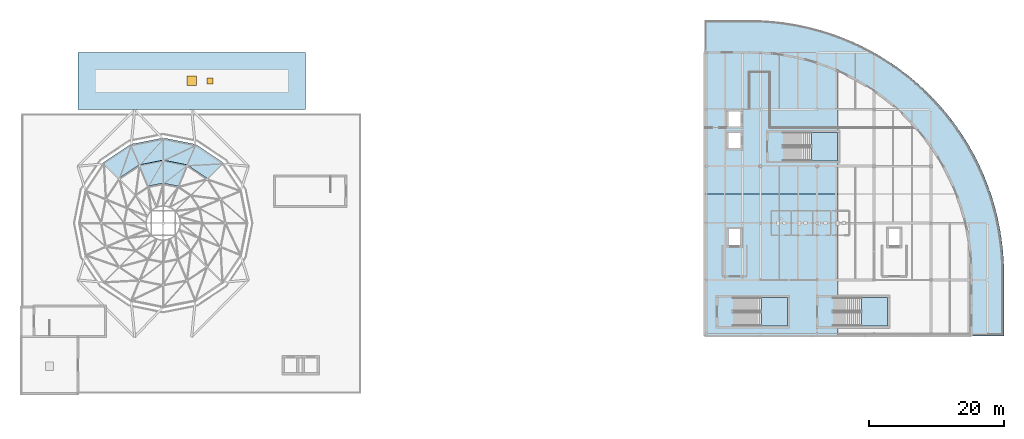
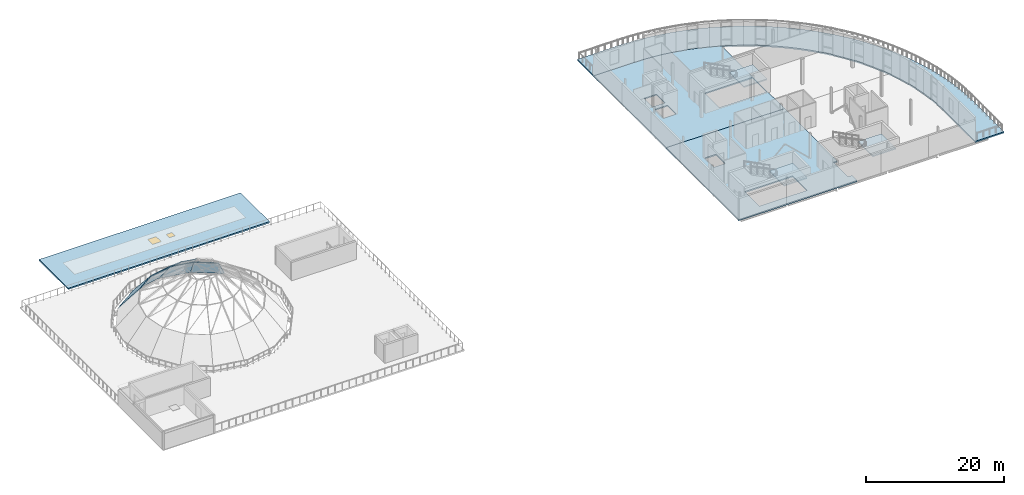
# One storey, part 19 of 40: 13 slabs, 1 door, 1 window, 2 openings, 3 elements without a shape of their own.
"""IFC4 building model written with IfcOpenShell, lengths in metres."""

from ifc_helpers import new_model, si_unit, direction, frame, origin, origin_2d, place, context, subcontext, project, spatial, polyline, rectangle, outline, extrude, material, layer, layer_set, type_object, element, fill, aggregate, save


model = new_model("IFC4")

# Units and contexts
model_context = context("Model", 3, precision=1e-05, world=origin(), true_north=direction((0.0, 1.0)))
body_context = subcontext(model_context, "Body", "Model", "MODEL_VIEW")
ifc_project = project(units=[si_unit("LENGTHUNIT", "METRE"), si_unit("AREAUNIT", "SQUARE_METRE"), si_unit("VOLUMEUNIT", "CUBIC_METRE"), si_unit("PLANEANGLEUNIT", "RADIAN"), si_unit("MASSUNIT", "GRAM", prefix="KILO"), si_unit("THERMODYNAMICTEMPERATUREUNIT", "KELVIN")], contexts=[model_context])

# Site, building, storey
site_placement = place(None, origin())
site = spatial("IfcSite", under=ifc_project, at=site_placement, CompositionType="ELEMENT")
building_placement = place(site_placement, origin())
building = spatial("IfcBuilding", under=site, at=building_placement, Name="Lustrewick Department Store", CompositionType="ELEMENT")
storey_placement = place(building_placement, frame((0.0, 0.0, 31.800048828125)))
storey = spatial("IfcBuildingStorey", under=building, at=storey_placement, Name="L07", CompositionType="ELEMENT", Elevation=31.800048828125)

# Slabs
ifc_material_1 = material(Name="Concrete C30", Category="concrete")
ifc_layer_1 = layer(ifc_material_1, 0.221923828125, Name="Concrete C30")
ifc_layer_set_1 = layer_set([ifc_layer_1], Name="Concrete C30")
slab_type_1 = type_object("IfcSlabType", Name="FS07", PredefinedType="FLOOR", material=ifc_layer_set_1)
slab_1_placement = place(storey_placement, frame((0.0, 0.0, -0.22216796875)))
element("IfcSlab", 1, at=slab_1_placement, inside=storey, type_object=slab_type_1, Name="L07 V4 Floor Slab FS07", PredefinedType="FLOOR", context=body_context, shape_type="SweptSolid", body=[
    extrude(outline(polyline([(109.35009765625, 50.550048828125), (129.074951171875, 50.550048828125), (129.074951171875, 52.0), (128.419921875, 52.0), (128.419921875, 56.199951171875), (129.074951171875, 56.199951171875), (129.074951171875, 71.47509765625), (109.35009765625, 71.47509765625), (109.35009765625, 50.550048828125)]), holes=[polyline([(121.60009765625, 52.0), (113.6201171875, 52.0), (113.6201171875, 56.199951171875), (121.60009765625, 56.199951171875), (121.60009765625, 52.0)]), polyline([(114.75, 63.75), (112.85009765625, 63.75), (112.85009765625, 66.449951171875), (114.75, 66.449951171875), (114.75, 63.75)])]), origin(), (0.0, 0.0, 1.0), 0.22216796875),
])
slab_2_placement = place(storey_placement, frame((0.0, 0.0, -0.22216796875)))
element("IfcSlab", 2, at=slab_2_placement, inside=storey, type_object=slab_type_1, Name="L07 V4 Floor Slab FS07", PredefinedType="FLOOR", context=body_context, shape_type="SweptSolid", body=[
    extrude(outline(polyline([(109.35009765625, 92.39990234375), (109.35009765625, 71.47509765625), (129.074951171875, 71.47509765625), (129.074951171875, 89.677490234375), (128.934814453125, 89.74169921875), (127.3916015625, 90.3583984375), (125.819091796875, 90.895751953125), (124.221435546875, 91.352783203125), (122.6025390625, 91.728515625), (120.966796875, 92.021728515625), (119.318359375, 92.231689453125), (117.661376953125, 92.35791015625), (116.0, 92.39990234375), (109.35009765625, 92.39990234375)]), holes=[polyline([(129.0, 76.39990234375), (121.02001953125, 76.39990234375), (121.02001953125, 80.60009765625), (129.0, 80.60009765625), (129.0, 76.39990234375)]), polyline([(114.85009765625, 80.64990234375), (114.85009765625, 78.14990234375), (112.75, 78.14990234375), (112.75, 80.64990234375), (114.85009765625, 80.64990234375)]), polyline([(114.85009765625, 81.35009765625), (112.75, 81.35009765625), (112.75, 83.85009765625), (114.85009765625, 83.85009765625), (114.85009765625, 81.35009765625)])]), origin(), (0.0, 0.0, 1.0), 0.22216796875),
])

# Stair, slab
stair_type = type_object("IfcStairType", Name="ST-H45", PredefinedType="HALF_TURN_STAIR", material=ifc_material_1)
stair_1_placement = place(storey_placement, origin())
stair_1 = element("IfcStair", 3, at=stair_1_placement, inside=storey, type_object=stair_type, Name="L07 Smoke-Proof Exit Stair ST09", PredefinedType="HALF_TURN_STAIR")
ifc_layer_2 = layer(ifc_material_1, 0.199951171875, Name="Concrete C30")
ifc_layer_set_2 = layer_set([ifc_layer_2], Name="Concrete C30")
slab_type_2 = type_object("IfcSlabType", Name="LS01", PredefinedType="LANDING", material=ifc_layer_set_2)
slab_3_placement = place(storey_placement, frame((0.0, 0.0, 2.050048828125)))
slab_3 = element("IfcSlab", 4, at=slab_3_placement, type_object=slab_type_2, Name="ST-H45 landing 1", PredefinedType="LANDING", context=body_context, shape_type="SweptSolid", body=[
    extrude(outline(polyline([(117.75, 52.0), (121.60009765625, 52.0), (121.60009765625, 56.199951171875), (117.75, 56.199951171875), (117.75, 52.0)])), origin(), (0.0, 0.0, 1.0), 0.199951171875),
])
aggregate(stair_1, [slab_3])

stair_2_placement = place(storey_placement, origin())
stair_2 = element("IfcStair", 5, at=stair_2_placement, inside=storey, type_object=stair_type, Name="L07 Smoke-Proof Exit Stair ST10", PredefinedType="HALF_TURN_STAIR")
slab_4_placement = place(storey_placement, frame((0.0, 0.0, 2.050048828125)))
slab_4 = element("IfcSlab", 6, at=slab_4_placement, type_object=slab_type_2, Name="ST-H45 landing 1", PredefinedType="LANDING", context=body_context, shape_type="SweptSolid", body=[
    extrude(outline(polyline([(125.14990234375, 76.39990234375), (129.0, 76.39990234375), (129.0, 80.60009765625), (125.14990234375, 80.60009765625), (125.14990234375, 76.39990234375)])), origin(), (0.0, 0.0, 1.0), 0.199951171875),
])
aggregate(stair_2, [slab_4])

stair_3_placement = place(storey_placement, origin())
stair_3 = element("IfcStair", 7, at=stair_3_placement, inside=storey, type_object=stair_type, Name="L07 Smoke-Proof Exit Stair ST11", PredefinedType="HALF_TURN_STAIR")
slab_5_placement = place(storey_placement, frame((0.0, 0.0, 2.050048828125)))
slab_5 = element("IfcSlab", 8, at=slab_5_placement, type_object=slab_type_2, Name="ST-H45 landing 1", PredefinedType="LANDING", context=body_context, shape_type="SweptSolid", body=[
    extrude(outline(polyline([(132.550048828125, 52.0), (136.39990234375, 52.0), (136.39990234375, 56.199951171875), (132.550048828125, 56.199951171875), (132.550048828125, 52.0)])), origin(), (0.0, 0.0, 1.0), 0.199951171875),
])
aggregate(stair_3, [slab_5])

# Slab, openings, door, window
ifc_material_2 = material(Name="Concrete C35", Category="concrete")
ifc_layer_3 = layer(ifc_material_2, 0.248046875, Name="Concrete C35")
ifc_layer_set_3 = layer_set([ifc_layer_3], Name="Concrete C35")
slab_type_3 = type_object("IfcSlabType", Name="RS01", PredefinedType="ROOF", material=ifc_layer_set_3)
slab_6_placement = place(storey_placement, frame((0.0, 0.0, -0.248046875)))
slab_6 = element("IfcSlab", 9, at=slab_6_placement, inside=storey, type_object=slab_type_3, Name="L07 Flat Roof Slab V1-NORTH-L06", PredefinedType="ROOF", context=body_context, shape_type="SweptSolid", body=[
    extrude(outline(polyline([(50.39990234375, 84.0), (50.39990234375, 92.39990234375), (16.800048828125, 92.39990234375), (16.800048828125, 84.0), (50.39990234375, 84.0)])), origin(), (0.0, 0.0, 1.0), 0.248046875),
])
opening_1_placement = place(slab_6_placement, frame((33.60009765625, 88.199951171875, -0.010009765625)))
opening_1 = element("IfcOpeningElement", 10, at=opening_1_placement, cuts=slab_6, Name="Opening SK02", PredefinedType="OPENING", context=body_context, shape_type="SweptSolid", body=[
    extrude(rectangle(XDim=1.39990234375, YDim=1.39990234375, at=origin_2d()), origin(), (0.0, 0.0, 1.0), 0.26806640625),
])
opening_2_placement = place(slab_6_placement, frame((36.300048828125, 88.199951171875, -0.010009765625)))
opening_2 = element("IfcOpeningElement", 11, at=opening_2_placement, cuts=slab_6, Name="Opening D-HT02", PredefinedType="OPENING", context=body_context, shape_type="SweptSolid", body=[
    extrude(rectangle(XDim=0.89990234375, YDim=0.89990234375, at=origin_2d()), origin(), (0.0, 0.0, 1.0), 0.26806640625),
])
ifc_material_3 = material(Name="Insulated aluminium roof access trapdoor", Category="aluminium")
door_type = type_object("IfcDoorType", Name="DT-14", OperationType="NOTDEFINED", PredefinedType="TRAPDOOR", material=ifc_material_3)
door_placement = place(opening_2_placement, frame((0.0, 0.0, 0.2080078125)))
door = element("IfcDoor", 12, at=door_placement, inside=storey, type_object=door_type, Name="L07 Roof Access Trapdoor D-HT02", OperationType="SINGLE_SWING_LEFT", OverallHeight=0.89990234375, OverallWidth=0.89990234375, PredefinedType="TRAPDOOR", context=body_context, shape_type="SweptSolid", body=[
    extrude(rectangle(XDim=0.89990234375, YDim=0.89990234375, at=origin_2d()), origin(), (0.0, 0.0, 1.0), 0.050048828125),
])
fill(opening_2, door)
ifc_material_4 = material(Name="Thermally broken Low-E triple-glazed skylight", Category="glass")
window_type = type_object("IfcWindowType", Name="SK02", PartitioningType="SINGLE_PANEL", PredefinedType="SKYLIGHT", material=ifc_material_4)
window_placement = place(opening_1_placement, frame((0.0, 0.0, 0.2080078125)))
window = element("IfcWindow", 13, at=window_placement, inside=storey, type_object=window_type, Name="L07 Roof Skylight SK02", OverallHeight=1.39990234375, OverallWidth=1.39990234375, PartitioningType="SINGLE_PANEL", PredefinedType="SKYLIGHT", context=body_context, shape_type="SweptSolid", body=[
    extrude(rectangle(XDim=1.39990234375, YDim=1.39990234375, at=origin_2d()), origin(), (0.0, 0.0, 1.0), 0.050048828125),
])
fill(opening_1, window)

# Slabs
ifc_material_5 = material(Name="Low-E laminated safety glass", Category="glass")
ifc_layer_4 = layer(ifc_material_5, 0.1201171875, Name="Low-E laminated safety glass")
ifc_layer_set_4 = layer_set([ifc_layer_4], Name="Low-E laminated safety glass")
slab_type_4 = type_object("IfcSlabType", Name="RS03", PredefinedType="ROOF", material=ifc_layer_set_4)
slab_7_placement = place(storey_placement, frame((38.3095703125, 76.109619140625, 0.0), z_axis=(0.433987213703, 0.649552349988, 0.624289070037), x_axis=(-0.831489151608, 0.555540989252, 4.333004e-06)))
element("IfcSlab", 14, at=slab_7_placement, inside=storey, type_object=slab_type_4, Name="V1 Dome Glazed Roof Facet 1.03", PredefinedType="ROOF", context=body_context, shape_type="SweptSolid", body=[
    extrude(outline(polyline([(0.0, 0.0), (4.916330908518049, 0.0), (4.272516918902976, 5.18441428165311), (0.643941507812162, 5.184461677227631), (0.0, 0.0)])), origin(), (0.0, 0.0, -1.0), 0.1201171875),
])
slab_8_placement = place(storey_placement, frame((34.2216796875, 78.8408203125, 0.0), z_axis=(0.152418635314, 0.766177612103, 0.624291939978), x_axis=(-0.980781043564, 0.195111620831, -1.357602e-06)))
element("IfcSlab", 15, at=slab_8_placement, inside=storey, type_object=slab_type_4, Name="V1 Dome Glazed Roof Facet 1.04", PredefinedType="ROOF", context=body_context, shape_type="SweptSolid", body=[
    extrude(outline(polyline([(0.0, 0.0), (4.91626444546819, 0.0), (4.2723810714369135, 5.184460625632881), (0.6435603308391028, 5.184445775456925), (0.0, 0.0)])), origin(), (0.0, 0.0, -1.0), 0.1201171875),
])
slab_9_placement = place(storey_placement, frame((29.39990234375, 79.800048828125, 0.0), z_axis=(-0.152422469333, 0.766174565058, 0.624294743451), x_axis=(-0.980780379795, -0.195114957413, -1.361102e-06)))
element("IfcSlab", 16, at=slab_9_placement, inside=storey, type_object=slab_type_4, Name="V1 Dome Glazed Roof Facet 1.05", PredefinedType="ROOF", context=body_context, shape_type="SweptSolid", body=[
    extrude(outline(polyline([(0.0, 0.0), (4.91626444546813, 0.0), (4.2724646662130965, 5.184475513720136), (0.6438833740311656, 5.184460625632838), (0.0, 0.0)])), origin(), (0.0, 0.0, -1.0), 0.1201171875),
])
slab_10_placement = place(storey_placement, frame((24.578125, 78.8408203125, 0.0), z_axis=(-0.433993979915, 0.649540156835, 0.624297052737), x_axis=(-0.831477796696, -0.555557984012, 1.380541e-06)))
element("IfcSlab", 17, at=slab_10_placement, inside=storey, type_object=slab_type_4, Name="V1 Dome Glazed Roof Facet 1.06", PredefinedType="ROOF", context=body_context, shape_type="SweptSolid", body=[
    extrude(outline(polyline([(0.0, 0.0), (4.916127909478809, -2.220446049250313e-16), (4.272275695649484, 5.1844727674006155), (0.6437002841363977, 5.184487867893212), (0.0, 0.0)])), origin(), (0.0, 0.0, -1.0), 0.1201171875),
])
slab_11_placement = place(storey_placement, frame((32.958984375, 75.7919921875, 4.050048828125), z_axis=(0.128038990062, 0.643598518401, 0.754577341388), x_axis=(-0.980780985874, 0.195111910741, 5.924149e-06)))
element("IfcSlab", 18, at=slab_11_placement, inside=storey, type_object=slab_type_4, Name="V1 Dome Glazed Roof Facet 2.04", PredefinedType="ROOF", context=body_context, shape_type="SweptSolid", body=[
    extrude(outline(polyline([(0.0, 0.0), (3.6288207405321087, 0.0), (2.96547647736318, 4.419133844774641), (0.6634089790414415, 4.419187387700029), (0.0, 0.0)])), origin(), (0.0, 0.0, -1.0), 0.1201171875),
])
slab_12_placement = place(storey_placement, frame((29.39990234375, 76.5, 4.050048828125), z_axis=(-0.128044680373, 0.643600107573, 0.754575020366), x_axis=(-0.980778852604, -0.195122633933, -3.401265e-06)))
element("IfcSlab", 19, at=slab_12_placement, inside=storey, type_object=slab_type_4, Name="V1 Dome Glazed Roof Facet 2.05", PredefinedType="ROOF", context=body_context, shape_type="SweptSolid", body=[
    extrude(outline(polyline([(0.0, 0.0), (3.628581292191442, -1.1102230246251565e-16), (2.9654555359463024, 4.419158013368566), (0.6633880370889439, 4.419127273829443), (0.0, 0.0)])), origin(), (0.0, 0.0, -1.0), 0.1201171875),
])
ifc_layer_5 = layer(ifc_material_2, 0.2451171875, Name="Concrete C35")
ifc_layer_set_5 = layer_set([ifc_layer_5], Name="Concrete C35")
slab_type_5 = type_object("IfcSlabType", Name="TS01", PredefinedType="FLOOR", material=ifc_layer_set_5)
slab_13_placement = place(storey_placement, frame((0.0, 0.0, -0.2451171875)))
element("IfcSlab", 20, at=slab_13_placement, inside=storey, type_object=slab_type_5, Name="L07 V4 Stepped Planted Terrace TS01", PredefinedType="FLOOR", context=body_context, shape_type="SweptSolid", body=[
    extrude(outline(polyline([(109.35009765625, 97.199951171875), (109.35009765625, 92.39990234375), (116.0, 92.39990234375), (117.661376953125, 92.35791015625), (119.318359375, 92.231689453125), (120.966796875, 92.021728515625), (122.6025390625, 91.728515625), (124.221435546875, 91.352783203125), (125.819091796875, 90.895751953125), (127.3916015625, 90.3583984375), (128.934814453125, 89.74169921875), (130.44482421875, 89.048095703125), (131.91796875, 88.278564453125), (133.35009765625, 87.435546875), (134.737548828125, 86.52099609375), (136.0771484375, 85.537353515625), (137.364990234375, 84.4873046875), (138.59814453125, 83.373291015625), (139.773193359375, 82.197998046875), (140.88720703125, 80.965087890625), (141.9375, 79.677001953125), (142.9208984375, 78.337646484375), (143.83544921875, 76.949951171875), (144.6787109375, 75.517822265625), (145.447998046875, 74.044921875), (146.141845703125, 72.534912109375), (146.75830078125, 70.99169921875), (147.2958984375, 69.419189453125), (147.7529296875, 67.8212890625), (148.128662109375, 66.20263671875), (148.421875, 64.56689453125), (148.631591796875, 62.918212890625), (148.7578125, 61.26123046875), (148.800048828125, 59.60009765625), (148.800048828125, 50.550048828125), (153.60009765625, 50.550048828125), (153.60009765625, 59.60009765625), (153.56201171875, 61.286865234375), (153.448486328125, 62.970458984375), (153.259765625, 64.647216796875), (152.995849609375, 66.313720703125), (152.6572265625, 67.966796875), (152.2451171875, 69.60302734375), (151.759765625, 71.218994140625), (151.202392578125, 72.811767578125), (150.57421875, 74.377685546875), (149.87646484375, 75.9140625), (149.1103515625, 77.41748046875), (148.277587890625, 78.885009765625), (147.3798828125, 80.313720703125), (146.4189453125, 81.70068359375), (145.39697265625, 83.043212890625), (144.3154296875, 84.33837890625), (143.177001953125, 85.583984375), (141.98388671875, 86.777099609375), (140.738525390625, 87.91552734375), (139.443115234375, 88.996826171875), (138.1005859375, 90.01904296875), (136.713623046875, 90.97998046875), (135.284912109375, 91.877685546875), (133.8173828125, 92.71044921875), (132.31396484375, 93.476318359375), (130.777587890625, 94.17431640625), (129.211669921875, 94.802490234375), (127.618896484375, 95.359619140625), (126.0029296875, 95.844970703125), (124.36669921875, 96.25732421875), (122.713623046875, 96.595703125), (121.047119140625, 96.859619140625), (119.370361328125, 97.048583984375), (117.68701171875, 97.162109375), (116.0, 97.199951171875), (109.35009765625, 97.199951171875)])), origin(), (0.0, 0.0, 1.0), 0.2451171875),
])

save(model, "model.ifc")
